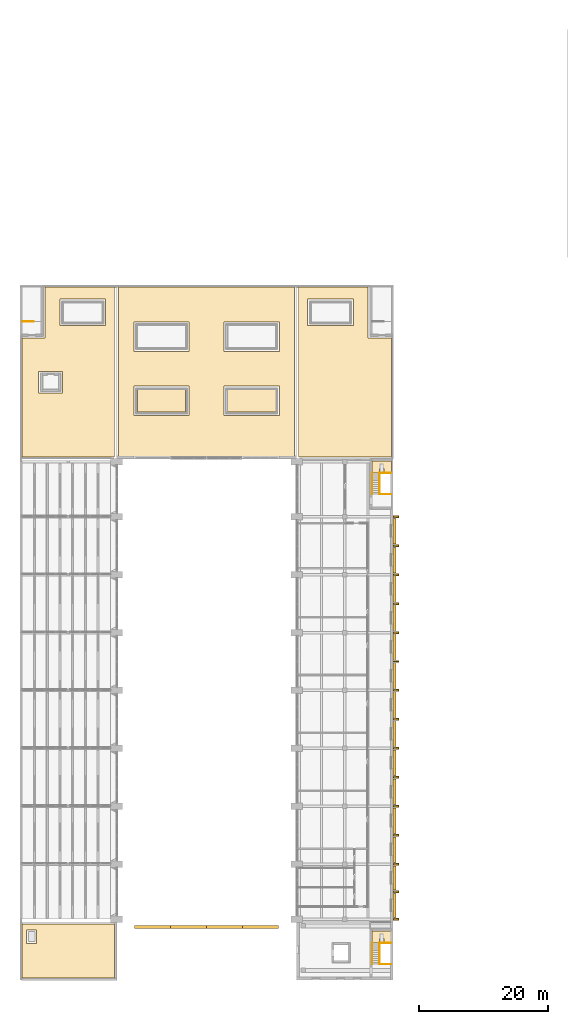
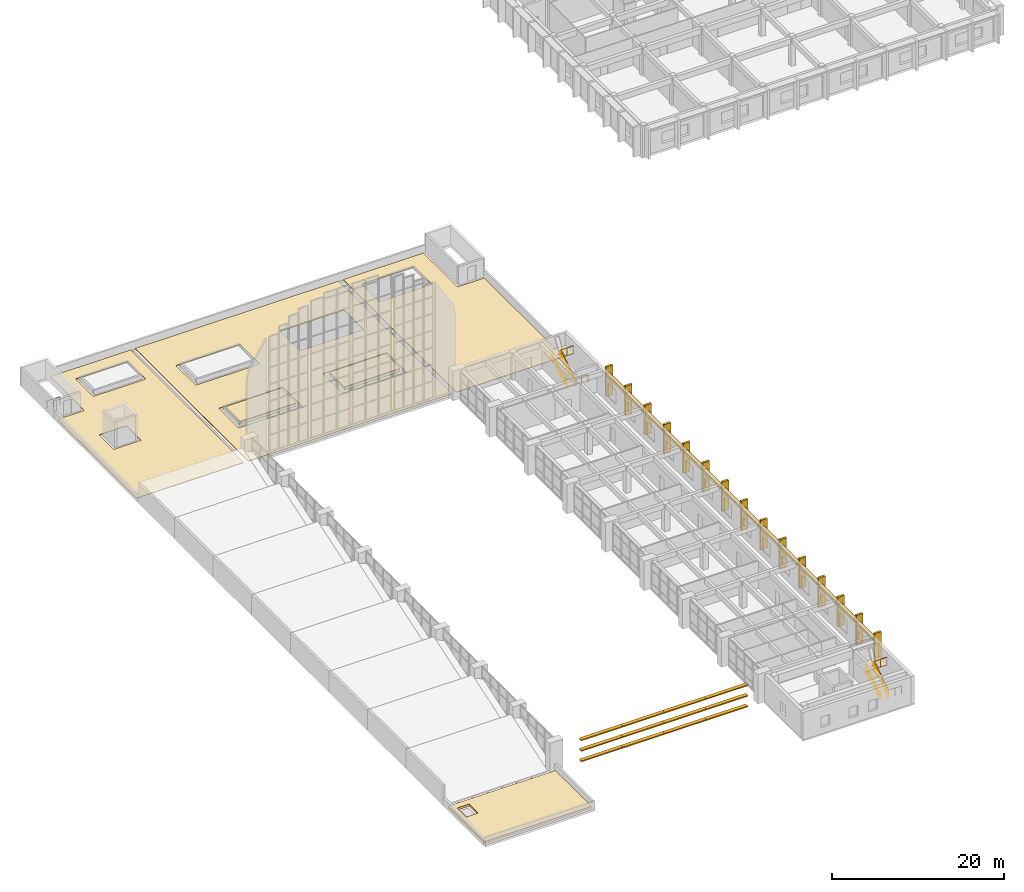
# One storey, part 41 of 43: 41 shading devices, 8 coverings, 7 railings.
"""IFC4 building model written with IfcOpenShell, lengths in metres."""

from ifc_helpers import new_model, si_unit, direction, frame, origin, origin_2d, place, context, subcontext, project, spatial, polyline, rectangle, circle, outline, extrude, material, layer, layer_set, type_object, element, save


model = new_model("IFC4")

# Units and contexts
model_context = context("Model", 3, precision=1e-05, world=origin(), true_north=direction((0.0, 1.0)))
body_context = subcontext(model_context, "Body", "Model", "MODEL_VIEW")
ifc_project = project(units=[si_unit("LENGTHUNIT", "METRE"), si_unit("AREAUNIT", "SQUARE_METRE"), si_unit("VOLUMEUNIT", "CUBIC_METRE"), si_unit("PLANEANGLEUNIT", "RADIAN"), si_unit("MASSUNIT", "GRAM", prefix="KILO")], contexts=[model_context])

# Site, building, storey
site_placement = place(None, origin())
site = spatial("IfcSite", under=ifc_project, at=site_placement, CompositionType="ELEMENT")
building_placement = place(site_placement, origin())
building = spatial("IfcBuilding", under=site, at=building_placement, Name="Elmora Arch Market Hall", CompositionType="ELEMENT")
storey_placement = place(building_placement, frame((0.0, 0.0, 10.199951171875)))
storey = spatial("IfcBuildingStorey", under=building, at=storey_placement, Name="L02", CompositionType="ELEMENT", Elevation=10.199951171875)

# Shading devices
ifc_material_1 = material(Name="Concrete C40/50", Category="concrete")
ifc_layer_1 = layer(ifc_material_1, 0.14990234375)
ifc_layer_set_1 = layer_set([ifc_layer_1], Name="Concrete C40/50")
shading_device_type_1 = type_object("IfcShadingDeviceType", Name="Brise-soleil blade 150 x 500", PredefinedType="USERDEFINED", material=ifc_layer_set_1)
for number, where, z_axis, x_axis, name in (
    (1, (20.60009765625, 26.25, 0.8251953125), (0.0, 0.0, 1.0), (1.0, 0.0, 0.0), "South gable blade 1.3"),
    (2, (20.60009765625, 26.25, 2.3251953125), (0.0, 0.0, 1.0), (1.0, 0.0, 0.0), "South gable blade 1.4"),
    (3, (20.60009765625, 26.25, 3.8251953125), (0.0, 0.0, 1.0), (1.0, 0.0, 0.0), "South gable blade 1.5"),
    (4, (26.199951171875, 26.25, 0.8251953125), (0.0, 0.0, 1.0), (1.0, 0.0, 0.0), "South gable blade 2.3"),
    (5, (26.199951171875, 26.25, 2.3251953125), (0.0, 0.0, 1.0), (1.0, 0.0, 0.0), "South gable blade 2.4"),
    (6, (26.199951171875, 26.25, 3.8251953125), (0.0, 0.0, 1.0), (1.0, 0.0, 0.0), "South gable blade 2.5"),
    (7, (31.800048828125, 26.25, 0.8251953125), (0.0, 0.0, 1.0), (1.0, 0.0, 0.0), "South gable blade 3.3"),
    (8, (31.800048828125, 26.25, 2.3251953125), (0.0, 0.0, 1.0), (1.0, 0.0, 0.0), "South gable blade 3.4"),
    (9, (31.800048828125, 26.25, 3.8251953125), (0.0, 0.0, 1.0), (1.0, 0.0, 0.0), "South gable blade 3.5"),
    (10, (37.39990234375, 26.25, 0.8251953125), (0.0, 0.0, 1.0), (1.0, 0.0, 0.0), "South gable blade 4.3"),
    (11, (37.39990234375, 26.25, 2.3251953125), (0.0, 0.0, 1.0), (1.0, 0.0, 0.0), "South gable blade 4.4"),
    (12, (37.39990234375, 26.25, 3.8251953125), (0.0, 0.0, 1.0), (1.0, 0.0, 0.0), "South gable blade 4.5"),
):
    element("IfcShadingDevice", number, at=place(storey_placement, frame(where, z_axis=z_axis, x_axis=x_axis)), inside=storey, type_object=shading_device_type_1, Name=name, ObjectType="BLADE", PredefinedType="USERDEFINED", context=body_context, shape_type="SweptSolid", body=[
        extrude(rectangle(XDim=5.60009765625, YDim=0.5, at=origin_2d()), origin(), (0.0, 0.0, 1.0), 0.14990234375),
    ])
ifc_material_2 = material(Name="Concrete C40/50", Category="concrete")
shading_device_type_2 = type_object("IfcShadingDeviceType", Name="Concrete fin 300x900", PredefinedType="USERDEFINED", material=ifc_material_2)
for number, where, z_axis, x_axis, name in (
    (13, (58.449951171875, 27.449951171875, 0.0), (0.0, 0.0, 1.0), (1.0, 0.0, 0.0), "Arcade fin 1 L02"),
    (14, (58.449951171875, 31.72509765625, 0.0), (0.0, 0.0, 1.0), (1.0, 0.0, 0.0), "Arcade fin 2 L02"),
    (15, (58.449951171875, 36.0, 0.0), (0.0, 0.0, 1.0), (1.0, 0.0, 0.0), "Arcade fin 3 L02"),
    (16, (58.449951171875, 40.5, 0.0), (0.0, 0.0, 1.0), (1.0, 0.0, 0.0), "Arcade fin 4 L02"),
    (17, (58.449951171875, 45.0, 0.0), (0.0, 0.0, 1.0), (1.0, 0.0, 0.0), "Arcade fin 5 L02"),
    (18, (58.449951171875, 49.5, 0.0), (0.0, 0.0, 1.0), (1.0, 0.0, 0.0), "Arcade fin 6 L02"),
    (19, (58.449951171875, 54.0, 0.0), (0.0, 0.0, 1.0), (1.0, 0.0, 0.0), "Arcade fin 7 L02"),
    (20, (58.449951171875, 58.5, 0.0), (0.0, 0.0, 1.0), (1.0, 0.0, 0.0), "Arcade fin 8 L02"),
    (21, (58.449951171875, 63.0, 0.0), (0.0, 0.0, 1.0), (1.0, 0.0, 0.0), "Arcade fin 9 L02"),
    (22, (58.449951171875, 67.5, 0.0), (0.0, 0.0, 1.0), (1.0, 0.0, 0.0), "Arcade fin 10 L02"),
    (23, (58.449951171875, 72.0, 0.0), (0.0, 0.0, 1.0), (1.0, 0.0, 0.0), "Arcade fin 11 L02"),
    (24, (58.449951171875, 76.5, 0.0), (0.0, 0.0, 1.0), (1.0, 0.0, 0.0), "Arcade fin 12 L02"),
    (25, (58.449951171875, 81.0, 0.0), (0.0, 0.0, 1.0), (1.0, 0.0, 0.0), "Arcade fin 13 L02"),
    (26, (58.449951171875, 85.5, 0.0), (0.0, 0.0, 1.0), (1.0, 0.0, 0.0), "Arcade fin 14 L02"),
    (27, (58.449951171875, 90.0, 0.0), (0.0, 0.0, 1.0), (1.0, 0.0, 0.0), "Arcade fin 15 L02"),
):
    element("IfcShadingDevice", number, at=place(storey_placement, frame(where, z_axis=z_axis, x_axis=x_axis)), inside=storey, type_object=shading_device_type_2, Name=name, ObjectType="FIN", PredefinedType="USERDEFINED", context=body_context, shape_type="SweptSolid", body=[
        extrude(rectangle(XDim=0.89990234375, YDim=0.300048828125, at=origin_2d()), origin(), (0.0, 0.0, 1.0), 4.199951171875),
    ])

# Coverings
ifc_material_3 = material(Name="Concrete paving slabs", Category="concrete")
ifc_layer_2 = layer(ifc_material_3, 0.080078125)
ifc_layer_set_2 = layer_set([ifc_layer_2], Name="Concrete paving slabs")
covering_type_1 = type_object("IfcCoveringType", Name="Garden terrace paving 80", PredefinedType="FLOORING", material=ifc_layer_set_2)
covering_1_placement = place(storey_placement, origin())
element("IfcCovering", 28, at=covering_1_placement, inside=storey, type_object=covering_type_1, Name="Garden terrace paving NW", PredefinedType="FLOORING", context=body_context, shape_type="SweptSolid", body=[
    extrude(outline(polyline([(0.300048828125, 99.300048828125), (0.300048828125, 117.75), (3.89990234375, 117.75), (3.89990234375, 125.699951171875), (14.699951171875, 125.699951171875), (14.699951171875, 99.300048828125), (0.300048828125, 99.300048828125)]), holes=[polyline([(2.89990234375, 109.199951171875), (6.60009765625, 109.199951171875), (6.60009765625, 112.60009765625), (2.89990234375, 112.60009765625), (2.89990234375, 109.199951171875)]), polyline([(6.199951171875, 123.800048828125), (6.199951171875, 119.699951171875), (13.300048828125, 119.699951171875), (13.300048828125, 123.800048828125), (6.199951171875, 123.800048828125)])]), origin(), (0.0, 0.0, 1.0), 0.080078125),
])
covering_2_placement = place(storey_placement, origin())
element("IfcCovering", 29, at=covering_2_placement, inside=storey, type_object=covering_type_1, Name="Garden terrace paving NM", PredefinedType="FLOORING", context=body_context, shape_type="SweptSolid", body=[
    extrude(outline(polyline([(15.300048828125, 99.300048828125), (15.300048828125, 125.699951171875), (42.699951171875, 125.699951171875), (42.699951171875, 99.300048828125), (15.300048828125, 99.300048828125)]), holes=[polyline([(17.699951171875, 110.300048828125), (17.699951171875, 105.699951171875), (26.300048828125, 105.699951171875), (26.300048828125, 110.300048828125), (17.699951171875, 110.300048828125)]), polyline([(31.699951171875, 110.300048828125), (31.699951171875, 105.699951171875), (40.300048828125, 105.699951171875), (40.300048828125, 110.300048828125), (31.699951171875, 110.300048828125)]), polyline([(17.699951171875, 120.300048828125), (17.699951171875, 115.699951171875), (26.300048828125, 115.699951171875), (26.300048828125, 120.300048828125), (17.699951171875, 120.300048828125)]), polyline([(31.699951171875, 120.300048828125), (31.699951171875, 115.699951171875), (40.300048828125, 115.699951171875), (40.300048828125, 120.300048828125), (31.699951171875, 120.300048828125)])]), origin(), (0.0, 0.0, 1.0), 0.080078125),
])
covering_3_placement = place(storey_placement, origin())
element("IfcCovering", 30, at=covering_3_placement, inside=storey, type_object=covering_type_1, Name="Garden terrace paving NE", PredefinedType="FLOORING", context=body_context, shape_type="SweptSolid", body=[
    extrude(outline(polyline([(43.300048828125, 99.300048828125), (43.300048828125, 125.699951171875), (54.10009765625, 125.699951171875), (54.10009765625, 117.75), (57.699951171875, 117.75), (57.699951171875, 99.300048828125), (43.300048828125, 99.300048828125)]), holes=[polyline([(44.699951171875, 123.800048828125), (44.699951171875, 119.699951171875), (51.800048828125, 119.699951171875), (51.800048828125, 123.800048828125), (44.699951171875, 123.800048828125)])]), origin(), (0.0, 0.0, 1.0), 0.080078125),
])
ifc_material_4 = material(Name="Soil and drainage layer")
ifc_layer_3 = layer(ifc_material_4, 0.300048828125)
ifc_layer_set_3 = layer_set([ifc_layer_3], Name="Soil and drainage layer")
covering_type_2 = type_object("IfcCoveringType", Name="Planted roof build-up 300", PredefinedType="ROOFING", material=ifc_layer_set_3)
covering_4_placement = place(storey_placement, origin())
element("IfcCovering", 31, at=covering_4_placement, inside=storey, type_object=covering_type_2, Name="Planted roof -SW", PredefinedType="ROOFING", context=body_context, shape_type="SweptSolid", body=[
    extrude(outline(polyline([(0.300048828125, 18.300048828125), (0.300048828125, 26.699951171875), (14.699951171875, 26.699951171875), (14.699951171875, 18.300048828125), (0.300048828125, 18.300048828125)]), holes=[polyline([(2.60009765625, 25.800048828125), (1.0, 25.800048828125), (1.0, 23.699951171875), (2.60009765625, 23.699951171875), (2.60009765625, 25.800048828125)])]), origin(), (0.0, 0.0, 1.0), 0.300048828125),
])
ifc_material_5 = material(Name="Planting soil")
ifc_layer_4 = layer(ifc_material_5, 0.449951171875)
ifc_layer_set_4 = layer_set([ifc_layer_4], Name="Planting soil")
covering_type_3 = type_object("IfcCoveringType", Name="Planter bed soil 450", PredefinedType="ROOFING", material=ifc_layer_set_4)
covering_5_placement = place(storey_placement, origin())
element("IfcCovering", 32, at=covering_5_placement, inside=storey, type_object=covering_type_3, Name="Planter bed soil 1", PredefinedType="ROOFING", context=body_context, shape_type="SweptSolid", body=[
    extrude(outline(polyline([(25.75, 106.25), (25.75, 109.75), (18.25, 109.75), (18.25, 106.25), (25.75, 106.25)])), origin(), (0.0, 0.0, 1.0), 0.449951171875),
])
covering_6_placement = place(storey_placement, origin())
element("IfcCovering", 33, at=covering_6_placement, inside=storey, type_object=covering_type_3, Name="Planter bed soil 2", PredefinedType="ROOFING", context=body_context, shape_type="SweptSolid", body=[
    extrude(outline(polyline([(39.75, 106.25), (39.75, 109.75), (32.25, 109.75), (32.25, 106.25), (39.75, 106.25)])), origin(), (0.0, 0.0, 1.0), 0.449951171875),
])
ifc_material_6 = material(Name="Cement sand screed")
ifc_layer_5 = layer(ifc_material_6, 0.10009765625)
ifc_layer_set_5 = layer_set([ifc_layer_5], Name="Cement sand screed")
covering_type_4 = type_object("IfcCoveringType", Name="Platform screed 100", PredefinedType="FLOORING", material=ifc_layer_set_5)
covering_7_placement = place(storey_placement, frame((0.0, 0.0, 2.0)))
element("IfcCovering", 34, at=covering_7_placement, inside=storey, type_object=covering_type_4, Name="Roof access platform finish ST-ES", PredefinedType="FLOORING", context=body_context, shape_type="SweptSolid", body=[
    extrude(outline(polyline([(54.699951171875, 23.75), (57.699951171875, 23.75), (57.699951171875, 25.64990234375), (54.699951171875, 25.64990234375), (54.699951171875, 23.75)]), holes=[polyline([(55.85009765625, 23.89990234375), (56.550048828125, 23.89990234375), (56.550048828125, 24.449951171875), (55.85009765625, 24.449951171875), (55.85009765625, 23.89990234375)])]), origin(), (0.0, 0.0, 1.0), 0.10009765625),
])
covering_8_placement = place(storey_placement, frame((0.0, 0.0, 2.0)))
element("IfcCovering", 35, at=covering_8_placement, inside=storey, type_object=covering_type_4, Name="Roof access platform finish ST-EN", PredefinedType="FLOORING", context=body_context, shape_type="SweptSolid", body=[
    extrude(outline(polyline([(54.699951171875, 96.800048828125), (57.699951171875, 96.800048828125), (57.699951171875, 98.699951171875), (54.699951171875, 98.699951171875), (54.699951171875, 96.800048828125)]), holes=[polyline([(55.85009765625, 96.949951171875), (56.550048828125, 96.949951171875), (56.550048828125, 97.5), (55.85009765625, 97.5), (55.85009765625, 96.949951171875)])]), origin(), (0.0, 0.0, 1.0), 0.10009765625),
])

# Railings
ifc_material_7 = material(Name="Steel ASTM A500 Gr C", Category="steel")
railing_type_1 = type_object("IfcRailingType", Name="Stair guard 1100", PredefinedType="GUARDRAIL", material=ifc_material_7)
railing_1_placement = place(storey_placement, frame((2.1201171875, 120.35009765625, 0.0)))
element("IfcRailing", 36, at=railing_1_placement, inside=storey, type_object=railing_type_1, Name="Stair ST-W guard L02", PredefinedType="GUARDRAIL", context=body_context, shape_type="SweptSolid", body=[
    extrude(circle(Radius=0.02392578125, at=origin_2d()), frame((0.0, 0.0, 1.076171875), z_axis=(-1.0, 0.0, 0.0), x_axis=(0.0, -1.0, 0.0)), (0.0, 0.0, 1.0), 1.760009765625),
    extrude(circle(Radius=0.02099609375, at=origin_2d()), origin(), (0.0, 0.0, 1.0), 1.052001953125),
    extrude(circle(Radius=0.02099609375, at=origin_2d()), frame((-0.8798828125, 0.0, 0.0)), (0.0, 0.0, 1.0), 1.052001953125),
    extrude(circle(Radius=0.02099609375, at=origin_2d()), frame((-1.760009765625, 0.0, 0.0)), (0.0, 0.0, 1.0), 1.052001953125),
])
railing_2_placement = place(storey_placement, frame((57.639892578125, 20.449951171875, 0.0)))
element("IfcRailing", 37, at=railing_2_placement, inside=storey, type_object=railing_type_1, Name="Stair ST-ES guard L02", PredefinedType="GUARDRAIL", context=body_context, shape_type="SweptSolid", body=[
    extrude(circle(Radius=0.02392578125, at=origin_2d()), frame((0.0, 0.0, 1.076171875), z_axis=(-1.0, 0.0, 0.0), x_axis=(0.0, -1.0, 0.0)), (0.0, 0.0, 1.0), 1.760009765625),
    extrude(circle(Radius=0.02392578125, at=origin_2d()), frame((-1.760009765625, 0.0, 1.076171875), z_axis=(0.0, 0.0, 1.0), x_axis=(1.0, 0.0, 0.0)), (0.0, 0.0, 1.0), 0.175048828125),
    extrude(circle(Radius=0.02392578125, at=origin_2d()), frame((-1.760009765625, 0.0, 1.2509765625), z_axis=(0.0, 0.863753409277, 0.503914722906), x_axis=(-1.0, 0.0, 0.0)), (0.0, 0.0, 1.0), 0.69482421875),
    extrude(circle(Radius=0.02392578125, at=origin_2d()), frame((-1.760009765625, 0.60009765625, 1.60107421875), z_axis=(0.0, 0.863817152568, 0.503805445515), x_axis=(-1.0, 0.0, 0.0)), (0.0, 0.0, 1.0), 0.6943359375),
    extrude(circle(Radius=0.02392578125, at=origin_2d()), frame((-1.760009765625, 1.199951171875, 1.951171875), z_axis=(0.0, 0.863753409277, 0.503914722906), x_axis=(-1.0, 0.0, 0.0)), (0.0, 0.0, 1.0), 0.69482421875),
    extrude(circle(Radius=0.02392578125, at=origin_2d()), frame((-1.760009765625, 1.800048828125, 2.30126953125), z_axis=(0.0, 0.863906348401, 0.503652480577), x_axis=(-1.0, 0.0, 0.0)), (0.0, 0.0, 1.0), 0.694580078125),
    extrude(circle(Radius=0.02392578125, at=origin_2d()), frame((-1.760009765625, 2.400146484375, 2.65087890625), z_axis=(0.0, 0.863664136355, 0.504067713282), x_axis=(-1.0, 0.0, 0.0)), (0.0, 0.0, 1.0), 0.694580078125),
    extrude(circle(Radius=0.02392578125, at=origin_2d()), frame((-1.760009765625, 3.0, 3.0009765625), z_axis=(0.0, 0.863753409277, 0.503914722906), x_axis=(-1.0, 0.0, 0.0)), (0.0, 0.0, 1.0), 0.347412109375),
    extrude(circle(Radius=0.02392578125, at=origin_2d()), frame((-1.760009765625, 3.300048828125, 3.17626953125), z_axis=(0.999935314712, 0.011373934777, 0.0), x_axis=(-0.011373934777, 0.999935314712, 0.0)), (0.0, 0.0, 1.0), 1.760009765625),
    extrude(circle(Radius=0.02099609375, at=origin_2d()), origin(), (0.0, 0.0, 1.0), 1.052001953125),
    extrude(circle(Radius=0.02099609375, at=origin_2d()), frame((-0.8798828125, 0.0, 0.0)), (0.0, 0.0, 1.0), 1.052001953125),
    extrude(circle(Radius=0.02099609375, at=origin_2d()), frame((-1.760009765625, 0.0, 0.0)), (0.0, 0.0, 1.0), 1.052001953125),
    extrude(circle(Radius=0.02099609375, at=origin_2d()), frame((-1.760009765625, 0.0, 0.175048828125)), (0.0, 0.0, 1.0), 1.052001953125),
    extrude(circle(Radius=0.02099609375, at=origin_2d()), frame((-1.760009765625, 0.60009765625, 0.525146484375)), (0.0, 0.0, 1.0), 1.052001953125),
    extrude(circle(Radius=0.02099609375, at=origin_2d()), frame((-1.760009765625, 1.199951171875, 0.875)), (0.0, 0.0, 1.0), 1.052001953125),
    extrude(circle(Radius=0.02099609375, at=origin_2d()), frame((-1.760009765625, 1.800048828125, 1.22509765625)), (0.0, 0.0, 1.0), 1.052001953125),
    extrude(circle(Radius=0.02099609375, at=origin_2d()), frame((-1.760009765625, 2.400146484375, 1.574951171875)), (0.0, 0.0, 1.0), 1.052001953125),
    extrude(circle(Radius=0.02099609375, at=origin_2d()), frame((-1.760009765625, 3.0, 1.925048828125)), (0.0, 0.0, 1.0), 1.052001953125),
    extrude(circle(Radius=0.02099609375, at=origin_2d()), frame((-1.760009765625, 3.300048828125, 2.10009765625)), (0.0, 0.0, 1.0), 1.052001953125),
    extrude(circle(Radius=0.02099609375, at=origin_2d()), frame((-0.8798828125, 3.31005859375, 2.10009765625)), (0.0, 0.0, 1.0), 1.052001953125),
    extrude(circle(Radius=0.02099609375, at=origin_2d()), frame((0.0, 3.320068359375, 2.10009765625)), (0.0, 0.0, 1.0), 1.052001953125),
])
railing_3_placement = place(storey_placement, frame((57.639892578125, 93.5, 0.0)))
element("IfcRailing", 38, at=railing_3_placement, inside=storey, type_object=railing_type_1, Name="Stair ST-EN guard L02", PredefinedType="GUARDRAIL", context=body_context, shape_type="SweptSolid", body=[
    extrude(circle(Radius=0.02392578125, at=origin_2d()), frame((0.0, 0.0, 1.076171875), z_axis=(-1.0, 0.0, 0.0), x_axis=(0.0, -1.0, 0.0)), (0.0, 0.0, 1.0), 1.760009765625),
    extrude(circle(Radius=0.02392578125, at=origin_2d()), frame((-1.760009765625, 0.0, 1.076171875), z_axis=(0.0, 0.0, 1.0), x_axis=(1.0, 0.0, 0.0)), (0.0, 0.0, 1.0), 0.175048828125),
    extrude(circle(Radius=0.02392578125, at=origin_2d()), frame((-1.760009765625, 0.0, 1.2509765625), z_axis=(0.0, 0.863753409277, 0.503914722906), x_axis=(-1.0, 0.0, 0.0)), (0.0, 0.0, 1.0), 0.69482421875),
    extrude(circle(Radius=0.02392578125, at=origin_2d()), frame((-1.760009765625, 0.60009765625, 1.60107421875), z_axis=(0.0, 0.863817152568, 0.503805445515), x_axis=(-1.0, 0.0, 0.0)), (0.0, 0.0, 1.0), 0.6943359375),
    extrude(circle(Radius=0.02392578125, at=origin_2d()), frame((-1.760009765625, 1.199951171875, 1.951171875), z_axis=(0.0, 0.863753409277, 0.503914722906), x_axis=(-1.0, 0.0, 0.0)), (0.0, 0.0, 1.0), 0.69482421875),
    extrude(circle(Radius=0.02392578125, at=origin_2d()), frame((-1.760009765625, 1.800048828125, 2.30126953125), z_axis=(0.0, 0.863817152568, 0.503805445515), x_axis=(-1.0, 0.0, 0.0)), (0.0, 0.0, 1.0), 0.6943359375),
    extrude(circle(Radius=0.02392578125, at=origin_2d()), frame((-1.760009765625, 2.39990234375, 2.65087890625), z_axis=(0.0, 0.863753409277, 0.503914722906), x_axis=(-1.0, 0.0, 0.0)), (0.0, 0.0, 1.0), 0.69482421875),
    extrude(circle(Radius=0.02392578125, at=origin_2d()), frame((-1.760009765625, 3.0, 3.0009765625), z_axis=(0.0, 0.863753409277, 0.503914722906), x_axis=(-1.0, 0.0, 0.0)), (0.0, 0.0, 1.0), 0.347412109375),
    extrude(circle(Radius=0.02392578125, at=origin_2d()), frame((-1.760009765625, 3.300048828125, 3.17626953125), z_axis=(0.999935314712, 0.011373934777, 0.0), x_axis=(-0.011373934777, 0.999935314712, 0.0)), (0.0, 0.0, 1.0), 1.760009765625),
    extrude(circle(Radius=0.02099609375, at=origin_2d()), origin(), (0.0, 0.0, 1.0), 1.052001953125),
    extrude(circle(Radius=0.02099609375, at=origin_2d()), frame((-0.8798828125, 0.0, 0.0)), (0.0, 0.0, 1.0), 1.052001953125),
    extrude(circle(Radius=0.02099609375, at=origin_2d()), frame((-1.760009765625, 0.0, 0.0)), (0.0, 0.0, 1.0), 1.052001953125),
    extrude(circle(Radius=0.02099609375, at=origin_2d()), frame((-1.760009765625, 0.0, 0.175048828125)), (0.0, 0.0, 1.0), 1.052001953125),
    extrude(circle(Radius=0.02099609375, at=origin_2d()), frame((-1.760009765625, 0.60009765625, 0.525146484375)), (0.0, 0.0, 1.0), 1.052001953125),
    extrude(circle(Radius=0.02099609375, at=origin_2d()), frame((-1.760009765625, 1.199951171875, 0.875)), (0.0, 0.0, 1.0), 1.052001953125),
    extrude(circle(Radius=0.02099609375, at=origin_2d()), frame((-1.760009765625, 1.800048828125, 1.22509765625)), (0.0, 0.0, 1.0), 1.052001953125),
    extrude(circle(Radius=0.02099609375, at=origin_2d()), frame((-1.760009765625, 2.39990234375, 1.574951171875)), (0.0, 0.0, 1.0), 1.052001953125),
    extrude(circle(Radius=0.02099609375, at=origin_2d()), frame((-1.760009765625, 3.0, 1.925048828125)), (0.0, 0.0, 1.0), 1.052001953125),
    extrude(circle(Radius=0.02099609375, at=origin_2d()), frame((-1.760009765625, 3.300048828125, 2.10009765625)), (0.0, 0.0, 1.0), 1.052001953125),
    extrude(circle(Radius=0.02099609375, at=origin_2d()), frame((-0.8798828125, 3.31005859375, 2.10009765625)), (0.0, 0.0, 1.0), 1.052001953125),
    extrude(circle(Radius=0.02099609375, at=origin_2d()), frame((0.0, 3.320068359375, 2.10009765625)), (0.0, 0.0, 1.0), 1.052001953125),
])
ifc_material_8 = material(Name="Stainless steel ASTM A554 Grade 304", Category="steel")
railing_type_2 = type_object("IfcRailingType", Name="Stair handrail 950", PredefinedType="HANDRAIL", material=ifc_material_8)
railing_4_placement = place(storey_placement, frame((54.760009765625, 20.449951171875, 0.175048828125)))
element("IfcRailing", 39, at=railing_4_placement, inside=storey, type_object=railing_type_2, Name="Stair ST-ES L02 flight 1 handrail", PredefinedType="HANDRAIL", context=body_context, shape_type="SweptSolid", body=[
    extrude(circle(Radius=0.02392578125, at=origin_2d()), frame((0.0, 0.0, 0.92578125), z_axis=(0.0, 0.863753409277, 0.503914722906), x_axis=(-1.0, 0.0, 0.0)), (0.0, 0.0, 1.0), 0.69482421875),
    extrude(circle(Radius=0.02392578125, at=origin_2d()), frame((0.0, 0.60009765625, 1.27587890625), z_axis=(0.0, 0.863817152568, 0.503805445515), x_axis=(-1.0, 0.0, 0.0)), (0.0, 0.0, 1.0), 0.6943359375),
    extrude(circle(Radius=0.02392578125, at=origin_2d()), frame((0.0, 1.199951171875, 1.6259765625), z_axis=(0.0, 0.863753409277, 0.503914722906), x_axis=(-1.0, 0.0, 0.0)), (0.0, 0.0, 1.0), 0.69482421875),
    extrude(circle(Radius=0.02392578125, at=origin_2d()), frame((0.0, 1.800048828125, 1.97607421875), z_axis=(0.0, 0.863906348401, 0.503652480577), x_axis=(-1.0, 0.0, 0.0)), (0.0, 0.0, 1.0), 0.694580078125),
    extrude(circle(Radius=0.02392578125, at=origin_2d()), frame((0.0, 2.400146484375, 2.32568359375), z_axis=(0.0, 0.863664136355, 0.504067713282), x_axis=(-1.0, 0.0, 0.0)), (0.0, 0.0, 1.0), 0.694580078125),
    extrude(circle(Radius=0.02392578125, at=origin_2d()), frame((0.0, 3.0, 2.67578125), z_axis=(0.0, 0.863753409277, 0.503914722906), x_axis=(-1.0, 0.0, 0.0)), (0.0, 0.0, 1.0), 0.347412109375),
    extrude(circle(Radius=0.02099609375, at=origin_2d()), origin(), (0.0, 0.0, 1.0), 0.90185546875),
    extrude(circle(Radius=0.02099609375, at=origin_2d()), frame((0.0, 0.60009765625, 0.35009765625)), (0.0, 0.0, 1.0), 0.90185546875),
    extrude(circle(Radius=0.02099609375, at=origin_2d()), frame((0.0, 1.199951171875, 0.699951171875)), (0.0, 0.0, 1.0), 0.90185546875),
    extrude(circle(Radius=0.02099609375, at=origin_2d()), frame((0.0, 1.800048828125, 1.050048828125)), (0.0, 0.0, 1.0), 0.90185546875),
    extrude(circle(Radius=0.02099609375, at=origin_2d()), frame((0.0, 2.400146484375, 1.39990234375)), (0.0, 0.0, 1.0), 0.90185546875),
    extrude(circle(Radius=0.02099609375, at=origin_2d()), frame((0.0, 3.0, 1.75)), (0.0, 0.0, 1.0), 0.90185546875),
    extrude(circle(Radius=0.02099609375, at=origin_2d()), frame((0.0, 3.300048828125, 1.925048828125)), (0.0, 0.0, 1.0), 0.90185546875),
])
railing_5_placement = place(storey_placement, frame((55.830078125, 20.449951171875, 0.175048828125)))
element("IfcRailing", 40, at=railing_5_placement, inside=storey, type_object=railing_type_2, Name="Stair ST-ES L02 flight 1 handrail", PredefinedType="HANDRAIL", context=body_context, shape_type="SweptSolid", body=[
    extrude(circle(Radius=0.02392578125, at=origin_2d()), frame((0.0, 0.0, 0.92578125), z_axis=(0.0, 0.863753409277, 0.503914722906), x_axis=(-1.0, 0.0, 0.0)), (0.0, 0.0, 1.0), 0.69482421875),
    extrude(circle(Radius=0.02392578125, at=origin_2d()), frame((0.0, 0.60009765625, 1.27587890625), z_axis=(0.0, 0.863817152568, 0.503805445515), x_axis=(-1.0, 0.0, 0.0)), (0.0, 0.0, 1.0), 0.6943359375),
    extrude(circle(Radius=0.02392578125, at=origin_2d()), frame((0.0, 1.199951171875, 1.6259765625), z_axis=(0.0, 0.863753409277, 0.503914722906), x_axis=(-1.0, 0.0, 0.0)), (0.0, 0.0, 1.0), 0.69482421875),
    extrude(circle(Radius=0.02392578125, at=origin_2d()), frame((0.0, 1.800048828125, 1.97607421875), z_axis=(0.0, 0.863906348401, 0.503652480577), x_axis=(-1.0, 0.0, 0.0)), (0.0, 0.0, 1.0), 0.694580078125),
    extrude(circle(Radius=0.02392578125, at=origin_2d()), frame((0.0, 2.400146484375, 2.32568359375), z_axis=(0.0, 0.863664136355, 0.504067713282), x_axis=(-1.0, 0.0, 0.0)), (0.0, 0.0, 1.0), 0.694580078125),
    extrude(circle(Radius=0.02392578125, at=origin_2d()), frame((0.0, 3.0, 2.67578125), z_axis=(0.0, 0.863753409277, 0.503914722906), x_axis=(-1.0, 0.0, 0.0)), (0.0, 0.0, 1.0), 0.347412109375),
    extrude(circle(Radius=0.02099609375, at=origin_2d()), origin(), (0.0, 0.0, 1.0), 0.90185546875),
    extrude(circle(Radius=0.02099609375, at=origin_2d()), frame((0.0, 0.60009765625, 0.35009765625)), (0.0, 0.0, 1.0), 0.90185546875),
    extrude(circle(Radius=0.02099609375, at=origin_2d()), frame((0.0, 1.199951171875, 0.699951171875)), (0.0, 0.0, 1.0), 0.90185546875),
    extrude(circle(Radius=0.02099609375, at=origin_2d()), frame((0.0, 1.800048828125, 1.050048828125)), (0.0, 0.0, 1.0), 0.90185546875),
    extrude(circle(Radius=0.02099609375, at=origin_2d()), frame((0.0, 2.400146484375, 1.39990234375)), (0.0, 0.0, 1.0), 0.90185546875),
    extrude(circle(Radius=0.02099609375, at=origin_2d()), frame((0.0, 3.0, 1.75)), (0.0, 0.0, 1.0), 0.90185546875),
    extrude(circle(Radius=0.02099609375, at=origin_2d()), frame((0.0, 3.300048828125, 1.925048828125)), (0.0, 0.0, 1.0), 0.90185546875),
])
railing_6_placement = place(storey_placement, frame((54.760009765625, 93.5, 0.175048828125)))
element("IfcRailing", 41, at=railing_6_placement, inside=storey, type_object=railing_type_2, Name="Stair ST-EN L02 flight 1 handrail", PredefinedType="HANDRAIL", context=body_context, shape_type="SweptSolid", body=[
    extrude(circle(Radius=0.02392578125, at=origin_2d()), frame((0.0, 0.0, 0.92578125), z_axis=(0.0, 0.863753409277, 0.503914722906), x_axis=(-1.0, 0.0, 0.0)), (0.0, 0.0, 1.0), 0.69482421875),
    extrude(circle(Radius=0.02392578125, at=origin_2d()), frame((0.0, 0.60009765625, 1.27587890625), z_axis=(0.0, 0.863817152568, 0.503805445515), x_axis=(-1.0, 0.0, 0.0)), (0.0, 0.0, 1.0), 0.6943359375),
    extrude(circle(Radius=0.02392578125, at=origin_2d()), frame((0.0, 1.199951171875, 1.6259765625), z_axis=(0.0, 0.863753409277, 0.503914722906), x_axis=(-1.0, 0.0, 0.0)), (0.0, 0.0, 1.0), 0.69482421875),
    extrude(circle(Radius=0.02392578125, at=origin_2d()), frame((0.0, 1.800048828125, 1.97607421875), z_axis=(0.0, 0.863817152568, 0.503805445515), x_axis=(-1.0, 0.0, 0.0)), (0.0, 0.0, 1.0), 0.6943359375),
    extrude(circle(Radius=0.02392578125, at=origin_2d()), frame((0.0, 2.39990234375, 2.32568359375), z_axis=(0.0, 0.863753409277, 0.503914722906), x_axis=(-1.0, 0.0, 0.0)), (0.0, 0.0, 1.0), 0.69482421875),
    extrude(circle(Radius=0.02392578125, at=origin_2d()), frame((0.0, 3.0, 2.67578125), z_axis=(0.0, 0.863753409277, 0.503914722906), x_axis=(-1.0, 0.0, 0.0)), (0.0, 0.0, 1.0), 0.347412109375),
    extrude(circle(Radius=0.02099609375, at=origin_2d()), origin(), (0.0, 0.0, 1.0), 0.90185546875),
    extrude(circle(Radius=0.02099609375, at=origin_2d()), frame((0.0, 0.60009765625, 0.35009765625)), (0.0, 0.0, 1.0), 0.90185546875),
    extrude(circle(Radius=0.02099609375, at=origin_2d()), frame((0.0, 1.199951171875, 0.699951171875)), (0.0, 0.0, 1.0), 0.90185546875),
    extrude(circle(Radius=0.02099609375, at=origin_2d()), frame((0.0, 1.800048828125, 1.050048828125)), (0.0, 0.0, 1.0), 0.90185546875),
    extrude(circle(Radius=0.02099609375, at=origin_2d()), frame((0.0, 2.39990234375, 1.39990234375)), (0.0, 0.0, 1.0), 0.90185546875),
    extrude(circle(Radius=0.02099609375, at=origin_2d()), frame((0.0, 3.0, 1.75)), (0.0, 0.0, 1.0), 0.90185546875),
    extrude(circle(Radius=0.02099609375, at=origin_2d()), frame((0.0, 3.300048828125, 1.925048828125)), (0.0, 0.0, 1.0), 0.90185546875),
])
railing_7_placement = place(storey_placement, frame((55.830078125, 93.5, 0.175048828125)))
element("IfcRailing", 42, at=railing_7_placement, inside=storey, type_object=railing_type_2, Name="Stair ST-EN L02 flight 1 handrail", PredefinedType="HANDRAIL", context=body_context, shape_type="SweptSolid", body=[
    extrude(circle(Radius=0.02392578125, at=origin_2d()), frame((0.0, 0.0, 0.92578125), z_axis=(0.0, 0.863753409277, 0.503914722906), x_axis=(-1.0, 0.0, 0.0)), (0.0, 0.0, 1.0), 0.69482421875),
    extrude(circle(Radius=0.02392578125, at=origin_2d()), frame((0.0, 0.60009765625, 1.27587890625), z_axis=(0.0, 0.863817152568, 0.503805445515), x_axis=(-1.0, 0.0, 0.0)), (0.0, 0.0, 1.0), 0.6943359375),
    extrude(circle(Radius=0.02392578125, at=origin_2d()), frame((0.0, 1.199951171875, 1.6259765625), z_axis=(0.0, 0.863753409277, 0.503914722906), x_axis=(-1.0, 0.0, 0.0)), (0.0, 0.0, 1.0), 0.69482421875),
    extrude(circle(Radius=0.02392578125, at=origin_2d()), frame((0.0, 1.800048828125, 1.97607421875), z_axis=(0.0, 0.863817152568, 0.503805445515), x_axis=(-1.0, 0.0, 0.0)), (0.0, 0.0, 1.0), 0.6943359375),
    extrude(circle(Radius=0.02392578125, at=origin_2d()), frame((0.0, 2.39990234375, 2.32568359375), z_axis=(0.0, 0.863753409277, 0.503914722906), x_axis=(-1.0, 0.0, 0.0)), (0.0, 0.0, 1.0), 0.69482421875),
    extrude(circle(Radius=0.02392578125, at=origin_2d()), frame((0.0, 3.0, 2.67578125), z_axis=(0.0, 0.863753409277, 0.503914722906), x_axis=(-1.0, 0.0, 0.0)), (0.0, 0.0, 1.0), 0.347412109375),
    extrude(circle(Radius=0.02099609375, at=origin_2d()), origin(), (0.0, 0.0, 1.0), 0.90185546875),
    extrude(circle(Radius=0.02099609375, at=origin_2d()), frame((0.0, 0.60009765625, 0.35009765625)), (0.0, 0.0, 1.0), 0.90185546875),
    extrude(circle(Radius=0.02099609375, at=origin_2d()), frame((0.0, 1.199951171875, 0.699951171875)), (0.0, 0.0, 1.0), 0.90185546875),
    extrude(circle(Radius=0.02099609375, at=origin_2d()), frame((0.0, 1.800048828125, 1.050048828125)), (0.0, 0.0, 1.0), 0.90185546875),
    extrude(circle(Radius=0.02099609375, at=origin_2d()), frame((0.0, 2.39990234375, 1.39990234375)), (0.0, 0.0, 1.0), 0.90185546875),
    extrude(circle(Radius=0.02099609375, at=origin_2d()), frame((0.0, 3.0, 1.75)), (0.0, 0.0, 1.0), 0.90185546875),
    extrude(circle(Radius=0.02099609375, at=origin_2d()), frame((0.0, 3.300048828125, 1.925048828125)), (0.0, 0.0, 1.0), 0.90185546875),
])

# Shading devices
ifc_material_9 = material(Name="Concrete C40/50", Category="concrete")
shading_device_type_3 = type_object("IfcShadingDeviceType", Name="Window hood 450x400", PredefinedType="USERDEFINED", material=ifc_material_9)
for number, where, z_axis, x_axis, name in (
    (43, (58.22509765625, 29.58740234375, 2.9501953125), (0.0, 0.0, 1.0), (1.0, 0.0, 0.0), "Arcade window hood 1 L02"),
    (44, (58.22509765625, 33.862548828125, 2.9501953125), (0.0, 0.0, 1.0), (1.0, 0.0, 0.0), "Arcade window hood 2 L02"),
):
    element("IfcShadingDevice", number, at=place(storey_placement, frame(where, z_axis=z_axis, x_axis=x_axis)), inside=storey, type_object=shading_device_type_3, Name=name, ObjectType="HOOD", PredefinedType="USERDEFINED", context=body_context, shape_type="SweptSolid", body=[
        extrude(rectangle(XDim=0.449951171875, YDim=3.77490234375, at=origin_2d()), origin(), (0.0, 0.0, 1.0), 0.39990234375),
    ])
for number, where, z_axis, x_axis, name in (
    (45, (58.22509765625, 38.25, 2.9501953125), (0.0, 0.0, 1.0), (1.0, 0.0, 0.0), "Arcade window hood 3 L02"),
    (46, (58.22509765625, 42.75, 2.9501953125), (0.0, 0.0, 1.0), (1.0, 0.0, 0.0), "Arcade window hood 4 L02"),
    (47, (58.22509765625, 47.25, 2.9501953125), (0.0, 0.0, 1.0), (1.0, 0.0, 0.0), "Arcade window hood 5 L02"),
    (48, (58.22509765625, 51.75, 2.9501953125), (0.0, 0.0, 1.0), (1.0, 0.0, 0.0), "Arcade window hood 6 L02"),
    (49, (58.22509765625, 56.25, 2.9501953125), (0.0, 0.0, 1.0), (1.0, 0.0, 0.0), "Arcade window hood 7 L02"),
    (50, (58.22509765625, 60.75, 2.9501953125), (0.0, 0.0, 1.0), (1.0, 0.0, 0.0), "Arcade window hood 8 L02"),
    (51, (58.22509765625, 65.25, 2.9501953125), (0.0, 0.0, 1.0), (1.0, 0.0, 0.0), "Arcade window hood 9 L02"),
    (52, (58.22509765625, 69.75, 2.9501953125), (0.0, 0.0, 1.0), (1.0, 0.0, 0.0), "Arcade window hood 10 L02"),
    (53, (58.22509765625, 74.25, 2.9501953125), (0.0, 0.0, 1.0), (1.0, 0.0, 0.0), "Arcade window hood 11 L02"),
    (54, (58.22509765625, 78.75, 2.9501953125), (0.0, 0.0, 1.0), (1.0, 0.0, 0.0), "Arcade window hood 12 L02"),
    (55, (58.22509765625, 83.25, 2.9501953125), (0.0, 0.0, 1.0), (1.0, 0.0, 0.0), "Arcade window hood 13 L02"),
    (56, (58.22509765625, 87.75, 2.9501953125), (0.0, 0.0, 1.0), (1.0, 0.0, 0.0), "Arcade window hood 14 L02"),
):
    element("IfcShadingDevice", number, at=place(storey_placement, frame(where, z_axis=z_axis, x_axis=x_axis)), inside=storey, type_object=shading_device_type_3, Name=name, ObjectType="HOOD", PredefinedType="USERDEFINED", context=body_context, shape_type="SweptSolid", body=[
        extrude(rectangle(XDim=0.449951171875, YDim=4.0, at=origin_2d()), origin(), (0.0, 0.0, 1.0), 0.39990234375),
    ])

save(model, "model.ifc")
